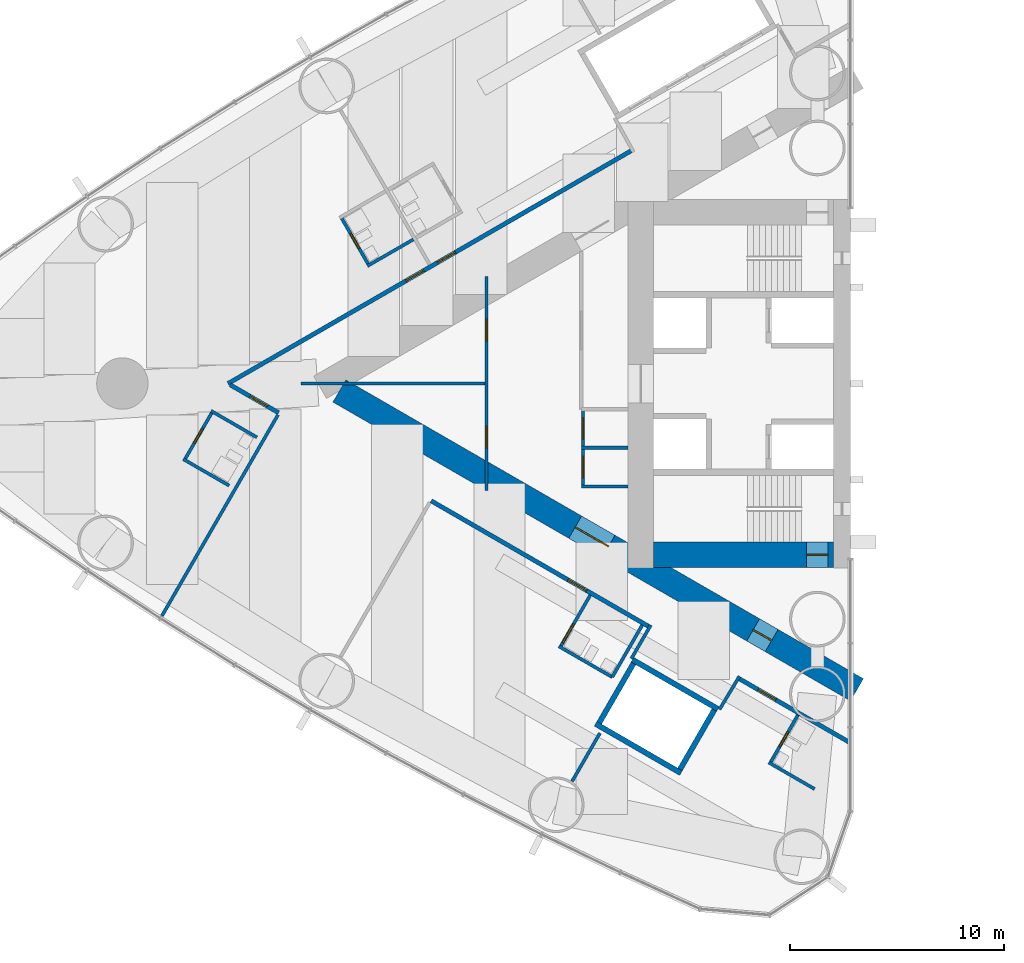
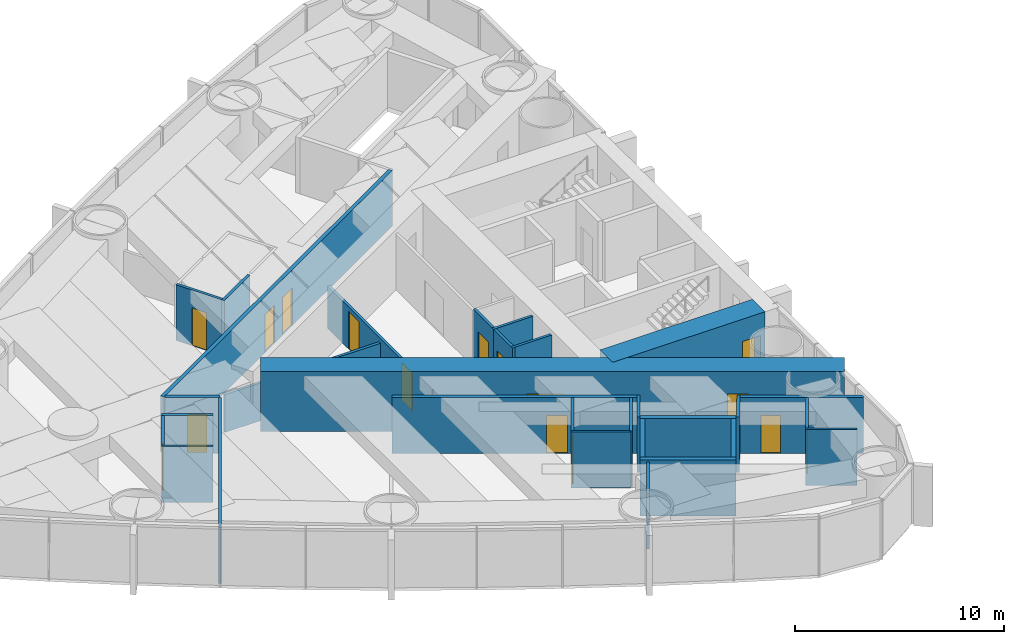
# One storey, part 11 of 18: 30 walls, 16 doors, 16 openings.
"""IFC4 building model written with IfcOpenShell, lengths in metres."""

from ifc_helpers import new_model, si_unit, direction, frame, frame_2d, origin, place, context, subcontext, project, spatial, rectangle, extrude, material, layer, layer_set, type_object, element, fill, save


model = new_model("IFC4")

# Units and contexts
model_context = context("Model", 3, precision=1e-05, world=origin(), true_north=direction((0.0, 1.0)))
body_context = subcontext(model_context, "Body", "Model", "MODEL_VIEW")
ifc_project = project(units=[si_unit("LENGTHUNIT", "METRE"), si_unit("AREAUNIT", "SQUARE_METRE"), si_unit("VOLUMEUNIT", "CUBIC_METRE"), si_unit("PLANEANGLEUNIT", "RADIAN"), si_unit("MASSUNIT", "GRAM", prefix="KILO")], contexts=[model_context])

# Site, building, storey
site_placement = place(None, origin())
site = spatial("IfcSite", under=ifc_project, at=site_placement, CompositionType="ELEMENT")
building_placement = place(site_placement, origin())
building = spatial("IfcBuilding", under=site, at=building_placement, Name="Lancet Gate Hotel", CompositionType="ELEMENT")
storey_placement = place(building_placement, frame((0.0, 0.0, 118.60009765625)))
storey = spatial("IfcBuildingStorey", under=building, at=storey_placement, Name="L31", CompositionType="ELEMENT", Elevation=118.60009765625)

# Wall, opening, door
ifc_material_1 = material(Name="Moisture resistant board partition")
ifc_layer_1 = layer(ifc_material_1, 0.14990234375)
ifc_layer_set_1 = layer_set([ifc_layer_1], Name="Bathroom wall 150")
wall_type_1 = type_object("IfcWallType", Name="Bathroom wall 150", PredefinedType="PARTITIONING", material=ifc_layer_set_1)
wall_1_placement = place(storey_placement, frame((-49.99462890625, 5.52734375, 0.0), z_axis=(0.0, 0.0, 1.0), x_axis=(-0.500006934395, 0.866021400173, 0.0)))
wall_1 = element("IfcWall", 1, at=wall_1_placement, inside=storey, type_object=wall_type_1, Name="T1 bathroom wall 150 L31", PredefinedType="PARTITIONING", context=body_context, shape_type="SweptSolid", body=[
    extrude(rectangle(XDim=2.60009765625, YDim=0.14990234375, at=frame_2d((1.300048828125, 0.0))), origin(), (0.0, 0.0, 1.0), 3.25),
])
opening_1_placement = place(wall_1_placement, frame((0.89990234375, 0.0, 0.0)))
opening_1 = element("IfcOpeningElement", 2, at=opening_1_placement, cuts=wall_1, Name="Opening 3103-B", PredefinedType="OPENING", context=body_context, shape_type="SweptSolid", body=[
    extrude(rectangle(XDim=0.800048828125, YDim=2.199951171875, at=frame_2d((0.39990234375, 1.10009765625))), frame((0.0, 0.0849609375, 0.0), z_axis=(0.0, -1.0, 0.0), x_axis=(1.0, 0.0, 0.0)), (0.0, 0.0, 1.0), 0.169921875),
])
ifc_material_2 = material(Name="Timber door set", Category="wood")
door_type_1 = type_object("IfcDoorType", Name="Bathroom door 800", OperationType="SINGLE_SWING_RIGHT", PredefinedType="DOOR", material=ifc_material_2)
door_1_placement = place(opening_1_placement, origin())
door_1 = element("IfcDoor", 3, at=door_1_placement, inside=storey, type_object=door_type_1, Name="3103-B", OperationType="SINGLE_SWING_RIGHT", OverallHeight=2.199951171875, OverallWidth=0.800048828125, PredefinedType="DOOR", context=body_context, shape_type="SweptSolid", body=[
    extrude(rectangle(XDim=0.800048828125, YDim=2.199951171875, at=frame_2d((0.39990234375, 1.10009765625))), frame((0.0, 0.02490234375, 0.0), z_axis=(0.0, -1.0, 0.0), x_axis=(1.0, 0.0, 0.0)), (0.0, 0.0, 1.0), 0.050048828125),
])
fill(opening_1, door_1)

# Walls
for number, where, z_axis, x_axis, name in (
    (4, (-47.916015625, 6.727294921875, 0.0), (0.0, 0.0, 1.0), (-0.866031185235, -0.4999899861, 0.0), "T1 bathroom wall 150 L31"),
    (5, (-56.51708984375, -4.763916015625, 0.0), (0.0, 0.0, 1.0), (-0.866031185235, 0.4999899861, 0.0), "T1 bathroom wall 150 L31"),
):
    element("IfcWall", number, at=place(storey_placement, frame(where, z_axis=z_axis, x_axis=x_axis)), inside=storey, type_object=wall_type_1, Name=name, PredefinedType="PARTITIONING", context=body_context, shape_type="SweptSolid", body=[
        extrude(rectangle(XDim=2.47509765625, YDim=0.14990234375, at=frame_2d((1.237548828125, 0.0))), origin(), (0.0, 0.0, 1.0), 3.25),
    ])

# Wall, opening, door
wall_2_placement = place(storey_placement, frame((-57.295654296875, -1.312255859375, 0.0), z_axis=(0.0, 0.0, 1.0), x_axis=(-0.49997716683, -0.86603858612, 0.0)))
wall_2 = element("IfcWall", 6, at=wall_2_placement, inside=storey, type_object=wall_type_1, Name="T1 bathroom wall 150 L31", PredefinedType="PARTITIONING", context=body_context, shape_type="SweptSolid", body=[
    extrude(rectangle(XDim=2.599609375, YDim=0.14990234375, at=frame_2d((1.2998046875, 0.0))), origin(), (0.0, 0.0, 1.0), 3.25),
])
opening_2_placement = place(wall_2_placement, frame((0.89990234375, 0.0, 0.0)))
opening_2 = element("IfcOpeningElement", 7, at=opening_2_placement, cuts=wall_2, Name="Opening 3105-B", PredefinedType="OPENING", context=body_context, shape_type="SweptSolid", body=[
    extrude(rectangle(XDim=0.800048828125, YDim=2.199951171875, at=frame_2d((0.39990234375, 1.10009765625))), frame((0.0, 0.0849609375, 0.0), z_axis=(0.0, -1.0, 0.0), x_axis=(1.0, 0.0, 0.0)), (0.0, 0.0, 1.0), 0.169921875),
])
door_2_placement = place(opening_2_placement, origin())
door_2 = element("IfcDoor", 8, at=door_2_placement, inside=storey, type_object=door_type_1, Name="3105-B", OperationType="SINGLE_SWING_RIGHT", OverallHeight=2.199951171875, OverallWidth=0.800048828125, PredefinedType="DOOR", context=body_context, shape_type="SweptSolid", body=[
    extrude(rectangle(XDim=0.800048828125, YDim=2.199951171875, at=frame_2d((0.39990234375, 1.10009765625))), frame((0.0, 0.02490234375, 0.0), z_axis=(0.0, -1.0, 0.0), x_axis=(1.0, 0.0, 0.0)), (0.0, 0.0, 1.0), 0.050048828125),
])
fill(opening_2, door_2)

# Walls
wall_3_placement = place(storey_placement, frame((-55.217041015625, -2.51220703125, 0.0), z_axis=(0.0, 0.0, 1.0), x_axis=(-0.866031185235, 0.4999899861, 0.0)))
element("IfcWall", 9, at=wall_3_placement, inside=storey, type_object=wall_type_1, Name="T1 bathroom wall 150 L31", PredefinedType="PARTITIONING", context=body_context, shape_type="SweptSolid", body=[
    extrude(rectangle(XDim=2.47509765625, YDim=0.14990234375, at=frame_2d((1.237548828125, 0.0))), origin(), (0.0, 0.0, 1.0), 3.25),
])
wall_4_placement = place(storey_placement, frame((-38.630126953125, -13.705322265625, 0.0), z_axis=(0.0, 0.0, 1.0), x_axis=(-0.866018712932, 0.500011588718, 0.0)))
element("IfcWall", 10, at=wall_4_placement, inside=storey, type_object=wall_type_1, Name="T1 bathroom wall 150 L31", PredefinedType="PARTITIONING", context=body_context, shape_type="SweptSolid", body=[
    extrude(rectangle(XDim=2.875, YDim=0.14990234375, at=frame_2d((1.4375, 0.0))), origin(), (0.0, 0.0, 1.0), 3.25),
])

# Wall, opening, door
wall_5_placement = place(storey_placement, frame((-39.65478515625, -9.88037109375, 0.0), z_axis=(0.0, 0.0, 1.0), x_axis=(-0.500049511043, -0.865996816683, 0.0)))
wall_5 = element("IfcWall", 11, at=wall_5_placement, inside=storey, type_object=wall_type_1, Name="T1 bathroom wall 150 L31", PredefinedType="PARTITIONING", context=body_context, shape_type="SweptSolid", body=[
    extrude(rectangle(XDim=2.800048828125, YDim=0.14990234375, at=frame_2d((1.39990234375, 0.0))), origin(), (0.0, 0.0, 1.0), 3.25),
])
opening_3_placement = place(wall_5_placement, frame((1.550048828125, 0.0, 0.0)))
opening_3 = element("IfcOpeningElement", 12, at=opening_3_placement, cuts=wall_5, Name="Opening 3107-B", PredefinedType="OPENING", context=body_context, shape_type="SweptSolid", body=[
    extrude(rectangle(XDim=1.0, YDim=2.199951171875, at=frame_2d((0.5, 1.10009765625))), frame((0.0, 0.0849609375, 0.0), z_axis=(0.0, -1.0, 0.0), x_axis=(1.0, 0.0, 0.0)), (0.0, 0.0, 1.0), 0.169921875),
])
ifc_material_3 = material(Name="Timber door set", Category="wood")
door_type_2 = type_object("IfcDoorType", Name="Accessible en-suite door 1000", OperationType="SINGLE_SWING_RIGHT", PredefinedType="DOOR", material=ifc_material_3)
door_3_placement = place(opening_3_placement, origin())
door_3 = element("IfcDoor", 13, at=door_3_placement, inside=storey, type_object=door_type_2, Name="3107-B", OperationType="SINGLE_SWING_RIGHT", OverallHeight=2.199951171875, OverallWidth=1.0, PredefinedType="DOOR", context=body_context, shape_type="SweptSolid", body=[
    extrude(rectangle(XDim=1.0, YDim=2.199951171875, at=frame_2d((0.5, 1.10009765625))), frame((0.0, 0.02490234375, 0.0), z_axis=(0.0, -1.0, 0.0), x_axis=(1.0, 0.0, 0.0)), (0.0, 0.0, 1.0), 0.050048828125),
])
fill(opening_3, door_3)

# Walls
wall_6_placement = place(storey_placement, frame((-37.22998046875, -11.280517578125, 0.0), z_axis=(0.0, 0.0, 1.0), x_axis=(-0.500049511043, -0.865996816683, 0.0)))
element("IfcWall", 14, at=wall_6_placement, inside=storey, type_object=wall_type_1, Name="T1 bathroom wall 150 L31", PredefinedType="PARTITIONING", context=body_context, shape_type="SweptSolid", body=[
    extrude(rectangle(XDim=2.800048828125, YDim=0.14990234375, at=frame_2d((1.39990234375, 0.0))), origin(), (0.0, 0.0, 1.0), 3.25),
])
wall_7_placement = place(storey_placement, frame((-29.181884765625, -18.92919921875, 0.0), z_axis=(0.0, 0.0, 1.0), x_axis=(-0.866006523861, 0.500032699561, 0.0)))
element("IfcWall", 15, at=wall_7_placement, inside=storey, type_object=wall_type_1, Name="T1 bathroom wall 150 L31", PredefinedType="PARTITIONING", context=body_context, shape_type="SweptSolid", body=[
    extrude(rectangle(XDim=2.474853515625, YDim=0.14990234375, at=frame_2d((1.2373046875, 0.0))), origin(), (0.0, 0.0, 1.0), 3.25),
])

# Wall, opening, door
wall_8_placement = place(storey_placement, frame((-29.960205078125, -15.4775390625, 0.0), z_axis=(0.0, 0.0, 1.0), x_axis=(-0.500006934395, -0.866021400173, 0.0)))
wall_8 = element("IfcWall", 16, at=wall_8_placement, inside=storey, type_object=wall_type_1, Name="T1 bathroom wall 150 L31", PredefinedType="PARTITIONING", context=body_context, shape_type="SweptSolid", body=[
    extrude(rectangle(XDim=2.60009765625, YDim=0.14990234375, at=frame_2d((1.300048828125, 0.0))), origin(), (0.0, 0.0, 1.0), 3.25),
])
opening_4_placement = place(wall_8_placement, frame((0.89990234375, 0.0, 0.0)))
opening_4 = element("IfcOpeningElement", 17, at=opening_4_placement, cuts=wall_8, Name="Opening 3108-B", PredefinedType="OPENING", context=body_context, shape_type="SweptSolid", body=[
    extrude(rectangle(XDim=0.800048828125, YDim=2.199951171875, at=frame_2d((0.39990234375, 1.10009765625))), frame((0.0, 0.0849609375, 0.0), z_axis=(0.0, -1.0, 0.0), x_axis=(1.0, 0.0, 0.0)), (0.0, 0.0, 1.0), 0.169921875),
])
door_4_placement = place(opening_4_placement, origin())
door_4 = element("IfcDoor", 18, at=door_4_placement, inside=storey, type_object=door_type_1, Name="3108-B", OperationType="SINGLE_SWING_RIGHT", OverallHeight=2.199951171875, OverallWidth=0.800048828125, PredefinedType="DOOR", context=body_context, shape_type="SweptSolid", body=[
    extrude(rectangle(XDim=0.800048828125, YDim=2.199951171875, at=frame_2d((0.39990234375, 1.10009765625))), frame((0.0, 0.02490234375, 0.0), z_axis=(0.0, -1.0, 0.0), x_axis=(1.0, 0.0, 0.0)), (0.0, 0.0, 1.0), 0.050048828125),
])
fill(opening_4, door_4)

# Wall, openings, doors
ifc_material_4 = material(Name="Concrete C70/85", Category="concrete")
ifc_layer_2 = layer(ifc_material_4, 1.199951171875)
ifc_layer_set_2 = layer_set([ifc_layer_2], Name="Buttress wall 1200")
wall_type_2 = type_object("IfcWallType", Name="Buttress wall 1200", PredefinedType="SHEAR", material=ifc_layer_set_2)
wall_9_placement = place(storey_placement, frame((-27.199951171875, -14.300048828125, 0.0), z_axis=(0.0, 0.0, 1.0), x_axis=(-0.866024021859, 0.500002393557, 0.0)))
wall_9 = element("IfcWall", 19, at=wall_9_placement, inside=storey, type_object=wall_type_2, Name="T1 buttress wall N L31", PredefinedType="SHEAR", context=body_context, shape_type="SweptSolid", body=[
    extrude(rectangle(XDim=27.906982421875, YDim=1.199951171875, at=frame_2d((13.95361328125, 0.0))), origin(), (0.0, 0.0, 1.0), 3.5),
])
opening_5_placement = place(wall_9_placement, frame((4.60009765625, 0.0, 0.0)))
opening_5 = element("IfcOpeningElement", 20, at=opening_5_placement, cuts=wall_9, Name="Opening T1-L31-LN", PredefinedType="OPENING", context=body_context, shape_type="SweptSolid", body=[
    extrude(rectangle(XDim=1.0, YDim=2.199951171875, at=frame_2d((0.5, 1.10009765625))), frame((0.0, 0.60986328125, 0.0), z_axis=(0.0, -1.0, 0.0), x_axis=(1.0, 0.0, 0.0)), (0.0, 0.0, 1.0), 1.219970703125),
])
opening_6_placement = place(wall_9_placement, frame((13.39453125, 0.0, 0.0)))
opening_6 = element("IfcOpeningElement", 21, at=opening_6_placement, cuts=wall_9, Name="Opening T1-L31-LHN", PredefinedType="OPENING", context=body_context, shape_type="SweptSolid", body=[
    extrude(rectangle(XDim=1.800048828125, YDim=2.199951171875, at=frame_2d((0.89990234375, 1.10009765625))), frame((0.0, 0.60986328125, 0.0), z_axis=(0.0, -1.0, 0.0), x_axis=(1.0, 0.0, 0.0)), (0.0, 0.0, 1.0), 1.219970703125),
])
ifc_material_5 = material(Name="Timber door set", Category="wood")
door_type_3 = type_object("IfcDoorType", Name="Lobby double door 1800", OperationType="DOUBLE_DOOR_SINGLE_SWING", PredefinedType="DOOR", material=ifc_material_5)
door_5_placement = place(opening_6_placement, origin())
door_5 = element("IfcDoor", 22, at=door_5_placement, inside=storey, type_object=door_type_3, Name="T1-L31-LHN", OperationType="DOUBLE_DOOR_SINGLE_SWING", OverallHeight=2.199951171875, OverallWidth=1.800048828125, PredefinedType="DOOR", context=body_context, shape_type="SweptSolid", body=[
    extrude(rectangle(XDim=1.800048828125, YDim=2.199951171875, at=frame_2d((0.89990234375, 1.10009765625))), frame((0.0, 0.02490234375, 0.0), z_axis=(0.0, -1.0, 0.0), x_axis=(1.0, 0.0, 0.0)), (0.0, 0.0, 1.0), 0.050048828125),
])
fill(opening_6, door_5)
ifc_material_6 = material(Name="Timber door set", Category="wood")
door_type_4 = type_object("IfcDoorType", Name="Stair lobby door 1000", OperationType="SINGLE_SWING_LEFT", PredefinedType="DOOR", material=ifc_material_6)
door_6_placement = place(opening_5_placement, origin())
door_6 = element("IfcDoor", 23, at=door_6_placement, inside=storey, type_object=door_type_4, Name="T1-L31-LN", OperationType="SINGLE_SWING_LEFT", OverallHeight=2.199951171875, OverallWidth=1.0, PredefinedType="DOOR", context=body_context, shape_type="SweptSolid", body=[
    extrude(rectangle(XDim=1.0, YDim=2.199951171875, at=frame_2d((0.5, 1.10009765625))), frame((0.0, 0.02490234375, 0.0), z_axis=(0.0, -1.0, 0.0), x_axis=(1.0, 0.0, 0.0)), (0.0, 0.0, 1.0), 0.050048828125),
])
fill(opening_5, door_6)

# Wall, opening, door
ifc_material_7 = material(Name="Concrete C70/85", Category="concrete")
ifc_layer_3 = layer(ifc_material_7, 1.199951171875)
ifc_layer_set_3 = layer_set([ifc_layer_3], Name="Core wall 1200")
wall_type_3 = type_object("IfcWallType", Name="Core wall 1200", PredefinedType="SHEAR", material=ifc_layer_set_3)
wall_10_placement = place(storey_placement, frame((-28.300048828125, -8.0, 0.0), z_axis=(0.0, 0.0, 1.0), x_axis=(-1.0, 0.0, 0.0)))
wall_10 = element("IfcWall", 24, at=wall_10_placement, inside=storey, type_object=wall_type_3, Name="T1 core wall side-N L31", PredefinedType="SHEAR", context=body_context, shape_type="SweptSolid", body=[
    extrude(rectangle(XDim=8.39990234375, YDim=1.199951171875, at=frame_2d((4.199951171875, 0.0))), origin(), (0.0, 0.0, 1.0), 3.5),
])
opening_7_placement = place(wall_10_placement, frame((0.25, 0.0, 0.0)))
opening_7 = element("IfcOpeningElement", 25, at=opening_7_placement, cuts=wall_10, Name="Opening T1-L31-ST2", PredefinedType="OPENING", context=body_context, shape_type="SweptSolid", body=[
    extrude(rectangle(XDim=1.0, YDim=2.199951171875, at=frame_2d((0.5, 1.10009765625))), frame((0.0, 0.60986328125, 0.0), z_axis=(0.0, -1.0, 0.0), x_axis=(1.0, 0.0, 0.0)), (0.0, 0.0, 1.0), 1.219970703125),
])
ifc_material_8 = material(Name="Timber door set", Category="wood")
door_type_5 = type_object("IfcDoorType", Name="Stair door 1000", OperationType="SINGLE_SWING_RIGHT", PredefinedType="DOOR", material=ifc_material_8)
door_7_placement = place(opening_7_placement, origin())
door_7 = element("IfcDoor", 26, at=door_7_placement, inside=storey, type_object=door_type_5, Name="T1-L31-ST2", OperationType="SINGLE_SWING_RIGHT", OverallHeight=2.199951171875, OverallWidth=1.0, PredefinedType="DOOR", context=body_context, shape_type="SweptSolid", body=[
    extrude(rectangle(XDim=1.0, YDim=2.199951171875, at=frame_2d((0.5, 1.10009765625))), frame((0.0, 0.02490234375, 0.0), z_axis=(0.0, -1.0, 0.0), x_axis=(1.0, 0.0, 0.0)), (0.0, 0.0, 1.0), 0.050048828125),
])
fill(opening_7, door_7)

# Wall, openings, doors
ifc_material_9 = material(Name="Gypsum board partition")
ifc_layer_4 = layer(ifc_material_9, 0.199951171875)
ifc_layer_set_4 = layer_set([ifc_layer_4], Name="Corridor wall 200")
wall_type_4 = type_object("IfcWallType", Name="Corridor wall 200", PredefinedType="PARTITIONING", material=ifc_layer_set_4)
wall_11_placement = place(storey_placement, frame((-37.699951171875, 10.8935546875, 0.0), z_axis=(0.0, 0.0, 1.0), x_axis=(-0.866027905338, -0.499995667157, 0.0)))
wall_11 = element("IfcWall", 27, at=wall_11_placement, inside=storey, type_object=wall_type_4, Name="T1 corridor wall 200 L31", PredefinedType="PARTITIONING", context=body_context, shape_type="SweptSolid", body=[
    extrude(rectangle(XDim=21.787353515625, YDim=0.199951171875, at=frame_2d((10.8935546875, 0.0))), origin(), (0.0, 0.0, 1.0), 3.25),
])
opening_8_placement = place(wall_11_placement, frame((11.23046875, 0.0, 0.0)))
opening_8 = element("IfcOpeningElement", 28, at=opening_8_placement, cuts=wall_11, Name="Opening 3103-E", PredefinedType="OPENING", context=body_context, shape_type="SweptSolid", body=[
    extrude(rectangle(XDim=0.949951171875, YDim=2.199951171875, at=frame_2d((0.47509765625, 1.10009765625))), frame((0.0, 0.10986328125, 0.0), z_axis=(0.0, -1.0, 0.0), x_axis=(1.0, 0.0, 0.0)), (0.0, 0.0, 1.0), 0.219970703125),
])
opening_9_placement = place(wall_11_placement, frame((9.530517578125, 0.0, 0.0)))
opening_9 = element("IfcOpeningElement", 29, at=opening_9_placement, cuts=wall_11, Name="Opening 3102-E", PredefinedType="OPENING", context=body_context, shape_type="SweptSolid", body=[
    extrude(rectangle(XDim=0.949951171875, YDim=2.199951171875, at=frame_2d((0.47509765625, 1.10009765625))), frame((0.0, 0.10986328125, 0.0), z_axis=(0.0, -1.0, 0.0), x_axis=(1.0, 0.0, 0.0)), (0.0, 0.0, 1.0), 0.219970703125),
])
ifc_material_10 = material(Name="Timber door set", Category="wood")
door_type_6 = type_object("IfcDoorType", Name="Guest room entry door 950", OperationType="SINGLE_SWING_LEFT", PredefinedType="DOOR", material=ifc_material_10)
door_8_placement = place(opening_8_placement, origin())
door_8 = element("IfcDoor", 30, at=door_8_placement, inside=storey, type_object=door_type_6, Name="3103-E", OperationType="SINGLE_SWING_LEFT", OverallHeight=2.199951171875, OverallWidth=0.949951171875, PredefinedType="DOOR", context=body_context, shape_type="SweptSolid", body=[
    extrude(rectangle(XDim=0.949951171875, YDim=2.199951171875, at=frame_2d((0.47509765625, 1.10009765625))), frame((0.0, 0.02490234375, 0.0), z_axis=(0.0, -1.0, 0.0), x_axis=(1.0, 0.0, 0.0)), (0.0, 0.0, 1.0), 0.050048828125),
])
fill(opening_8, door_8)
door_9_placement = place(opening_9_placement, origin())
door_9 = element("IfcDoor", 31, at=door_9_placement, inside=storey, type_object=door_type_6, Name="3102-E", OperationType="SINGLE_SWING_LEFT", OverallHeight=2.199951171875, OverallWidth=0.949951171875, PredefinedType="DOOR", context=body_context, shape_type="SweptSolid", body=[
    extrude(rectangle(XDim=0.949951171875, YDim=2.199951171875, at=frame_2d((0.47509765625, 1.10009765625))), frame((0.0, 0.02490234375, 0.0), z_axis=(0.0, -1.0, 0.0), x_axis=(1.0, 0.0, 0.0)), (0.0, 0.0, 1.0), 0.050048828125),
])
fill(opening_9, door_9)

# Wall, opening, door
wall_12_placement = place(storey_placement, frame((-27.572021484375, -16.740966796875, 0.0), z_axis=(0.0, 0.0, 1.0), x_axis=(-0.866024464444, 0.500001626982, 0.0)))
wall_12 = element("IfcWall", 32, at=wall_12_placement, inside=storey, type_object=wall_type_4, Name="T1 corridor wall 200 L31", PredefinedType="PARTITIONING", context=body_context, shape_type="SweptSolid", body=[
    extrude(rectangle(XDim=5.955078125, YDim=0.199951171875, at=frame_2d((2.9775390625, 0.0))), origin(), (0.0, 0.0, 1.0), 3.25),
])
opening_10_placement = place(wall_12_placement, frame((3.949951171875, 0.0, 0.0)))
opening_10 = element("IfcOpeningElement", 33, at=opening_10_placement, cuts=wall_12, Name="Opening 3108-E", PredefinedType="OPENING", context=body_context, shape_type="SweptSolid", body=[
    extrude(rectangle(XDim=0.949951171875, YDim=2.199951171875, at=frame_2d((0.47509765625, 1.10009765625))), frame((0.0, 0.10986328125, 0.0), z_axis=(0.0, -1.0, 0.0), x_axis=(1.0, 0.0, 0.0)), (0.0, 0.0, 1.0), 0.219970703125),
])
door_10_placement = place(opening_10_placement, origin())
door_10 = element("IfcDoor", 34, at=door_10_placement, inside=storey, type_object=door_type_6, Name="3108-E", OperationType="SINGLE_SWING_LEFT", OverallHeight=2.199951171875, OverallWidth=0.949951171875, PredefinedType="DOOR", context=body_context, shape_type="SweptSolid", body=[
    extrude(rectangle(XDim=0.949951171875, YDim=2.199951171875, at=frame_2d((0.47509765625, 1.10009765625))), frame((0.0, 0.02490234375, 0.0), z_axis=(0.0, -1.0, 0.0), x_axis=(1.0, 0.0, 0.0)), (0.0, 0.0, 1.0), 0.050048828125),
])
fill(opening_10, door_10)

wall_13_placement = place(storey_placement, frame((-36.920166015625, -11.34375, 0.0), z_axis=(0.0, 0.0, 1.0), x_axis=(-0.866027897759, 0.499995680284, 0.0)))
wall_13 = element("IfcWall", 35, at=wall_13_placement, inside=storey, type_object=wall_type_4, Name="T1 corridor wall 200 L31", PredefinedType="PARTITIONING", context=body_context, shape_type="SweptSolid", body=[
    extrude(rectangle(XDim=11.73095703125, YDim=0.199951171875, at=frame_2d((5.865478515625, 0.0))), origin(), (0.0, 0.0, 1.0), 3.25),
])
opening_11_placement = place(wall_13_placement, frame((3.35009765625, 0.0, 0.0)))
opening_11 = element("IfcOpeningElement", 36, at=opening_11_placement, cuts=wall_13, Name="Opening 3107-E", PredefinedType="OPENING", context=body_context, shape_type="SweptSolid", body=[
    extrude(rectangle(XDim=1.0, YDim=2.199951171875, at=frame_2d((0.5, 1.10009765625))), frame((0.0, 0.10986328125, 0.0), z_axis=(0.0, -1.0, 0.0), x_axis=(1.0, 0.0, 0.0)), (0.0, 0.0, 1.0), 0.219970703125),
])
ifc_material_11 = material(Name="Timber door set", Category="wood")
door_type_7 = type_object("IfcDoorType", Name="Accessible guest room door 1000", OperationType="SINGLE_SWING_LEFT", PredefinedType="DOOR", material=ifc_material_11)
door_11_placement = place(opening_11_placement, origin())
door_11 = element("IfcDoor", 37, at=door_11_placement, inside=storey, type_object=door_type_7, Name="3107-E", OperationType="SINGLE_SWING_LEFT", OverallHeight=2.199951171875, OverallWidth=1.0, PredefinedType="DOOR", context=body_context, shape_type="SweptSolid", body=[
    extrude(rectangle(XDim=1.0, YDim=2.199951171875, at=frame_2d((0.5, 1.10009765625))), frame((0.0, 0.02490234375, 0.0), z_axis=(0.0, -1.0, 0.0), x_axis=(1.0, 0.0, 0.0)), (0.0, 0.0, 1.0), 0.050048828125),
])
fill(opening_11, door_11)

wall_14_placement = place(storey_placement, frame((-54.207275390625, -1.363037109375, 0.0), z_axis=(0.0, 0.0, 1.0), x_axis=(-0.866049872286, 0.499957616916, 0.0)))
wall_14 = element("IfcWall", 38, at=wall_14_placement, inside=storey, type_object=wall_type_4, Name="T1 corridor wall 200 L31", PredefinedType="PARTITIONING", context=body_context, shape_type="SweptSolid", body=[
    extrude(rectangle(XDim=2.606201171875, YDim=0.199951171875, at=frame_2d((1.30322265625, 0.0))), origin(), (0.0, 0.0, 1.0), 3.25),
])
opening_12_placement = place(wall_14_placement, frame((0.60009765625, 0.0, 0.0)))
opening_12 = element("IfcOpeningElement", 39, at=opening_12_placement, cuts=wall_14, Name="Opening 3105-E", PredefinedType="OPENING", context=body_context, shape_type="SweptSolid", body=[
    extrude(rectangle(XDim=0.949951171875, YDim=2.199951171875, at=frame_2d((0.47509765625, 1.10009765625))), frame((0.0, 0.10986328125, 0.0), z_axis=(0.0, -1.0, 0.0), x_axis=(1.0, 0.0, 0.0)), (0.0, 0.0, 1.0), 0.219970703125),
])
door_12_placement = place(opening_12_placement, origin())
door_12 = element("IfcDoor", 40, at=door_12_placement, inside=storey, type_object=door_type_6, Name="3105-E", OperationType="SINGLE_SWING_LEFT", OverallHeight=2.199951171875, OverallWidth=0.949951171875, PredefinedType="DOOR", context=body_context, shape_type="SweptSolid", body=[
    extrude(rectangle(XDim=0.949951171875, YDim=2.199951171875, at=frame_2d((0.47509765625, 1.10009765625))), frame((0.0, 0.02490234375, 0.0), z_axis=(0.0, -1.0, 0.0), x_axis=(1.0, 0.0, 0.0)), (0.0, 0.0, 1.0), 0.050048828125),
])
fill(opening_12, door_12)

# Walls
ifc_material_12 = material(Name="Gypsum board partition")
ifc_layer_5 = layer(ifc_material_12, 0.25)
ifc_layer_set_5 = layer_set([ifc_layer_5], Name="Lift shaft partition 250")
wall_type_5 = type_object("IfcWallType", Name="Lift shaft partition 250", PredefinedType="PARTITIONING", material=ifc_layer_set_5)
wall_15_placement = place(storey_placement, frame((-33.695556640625, -15.197265625, 0.0), z_axis=(0.0, 0.0, 1.0), x_axis=(-0.865976953817, 0.500083908417, 0.0)))
element("IfcWall", 41, at=wall_15_placement, inside=storey, type_object=wall_type_5, Name="T1 lift shaft wall EX L31", PredefinedType="PARTITIONING", context=body_context, shape_type="SweptSolid", body=[
    extrude(rectangle(XDim=4.599365234375, YDim=0.25, at=frame_2d((2.2998046875, 0.0))), origin(), (0.0, 0.0, 1.0), 3.25),
])
wall_16_placement = place(storey_placement, frame((-35.42041015625, -18.185791015625, 0.0), z_axis=(0.0, 0.0, 1.0), x_axis=(-0.865990227814, 0.50006092162, 0.0)))
element("IfcWall", 42, at=wall_16_placement, inside=storey, type_object=wall_type_5, Name="T1 lift shaft wall EX L31", PredefinedType="PARTITIONING", context=body_context, shape_type="SweptSolid", body=[
    extrude(rectangle(XDim=4.599609375, YDim=0.25, at=frame_2d((2.2998046875, 0.0))), origin(), (0.0, 0.0, 1.0), 3.25),
])
wall_17_placement = place(storey_placement, frame((-33.8662109375, -15.242919921875, 0.0), z_axis=(0.0, 0.0, 1.0), x_axis=(-0.499929347863, -0.866066190972, 0.0)))
element("IfcWall", 43, at=wall_17_placement, inside=storey, type_object=wall_type_5, Name="T1 lift shaft wall EX L31", PredefinedType="PARTITIONING", context=body_context, shape_type="SweptSolid", body=[
    extrude(rectangle(XDim=3.20068359375, YDim=0.25, at=frame_2d((1.600341796875, 0.0))), origin(), (0.0, 0.0, 1.0), 3.25),
])
wall_18_placement = place(storey_placement, frame((-37.6328125, -13.068115234375, 0.0), z_axis=(0.0, 0.0, 1.0), x_axis=(-0.499872130319, -0.866099216793, 0.0)))
element("IfcWall", 44, at=wall_18_placement, inside=storey, type_object=wall_type_5, Name="T1 lift shaft wall EX L31", PredefinedType="PARTITIONING", context=body_context, shape_type="SweptSolid", body=[
    extrude(rectangle(XDim=3.200439453125, YDim=0.25, at=frame_2d((1.60009765625, 0.0))), origin(), (0.0, 0.0, 1.0), 3.25),
])
ifc_material_13 = material(Name="Gypsum board partition")
ifc_layer_6 = layer(ifc_material_13, 0.14990234375)
ifc_layer_set_6 = layer_set([ifc_layer_6], Name="Party wall 150")
wall_type_6 = type_object("IfcWallType", Name="Party wall 150", PredefinedType="PARTITIONING", material=ifc_layer_set_6)
wall_19_placement = place(storey_placement, frame((-54.235595703125, -1.462158203125, 0.0), z_axis=(0.0, 0.0, 1.0), x_axis=(-0.499990351854, -0.866030974073, 0.0)))
element("IfcWall", 45, at=wall_19_placement, inside=storey, type_object=wall_type_6, Name="T1 party wall 150 L31", PredefinedType="PARTITIONING", context=body_context, shape_type="SweptSolid", body=[
    extrude(rectangle(XDim=10.833740234375, YDim=0.14990234375, at=frame_2d((5.4169921875, 0.0))), origin(), (0.0, 0.0, 1.0), 3.25),
])
wall_20_placement = place(storey_placement, frame((-39.2021484375, -16.319580078125, 0.0), z_axis=(0.0, 0.0, 1.0), x_axis=(-0.49997716683, -0.86603858612, 0.0)))
element("IfcWall", 46, at=wall_20_placement, inside=storey, type_object=wall_type_6, Name="T1 party wall 150 L31", PredefinedType="PARTITIONING", context=body_context, shape_type="SweptSolid", body=[
    extrude(rectangle(XDim=2.599609375, YDim=0.14990234375, at=frame_2d((1.2998046875, 0.0))), origin(), (0.0, 0.0, 1.0), 3.25),
])
ifc_material_14 = material(Name="Gypsum board partition")
ifc_layer_7 = layer(ifc_material_14, 0.14990234375)
ifc_layer_set_7 = layer_set([ifc_layer_7], Name="Service room wall 150")
wall_type_7 = type_object("IfcWallType", Name="Service room wall 150", PredefinedType="PARTITIONING", material=ifc_layer_set_7)
wall_21_placement = place(storey_placement, frame((-36.831298828125, -11.27978515625, 0.0), z_axis=(0.0, 0.0, 1.0), x_axis=(-0.499937177781, -0.866061671171, 0.0)))
element("IfcWall", 47, at=wall_21_placement, inside=storey, type_object=wall_type_7, Name="T1 service room wall 150 L31", PredefinedType="PARTITIONING", context=body_context, shape_type="SweptSolid", body=[
    extrude(rectangle(XDim=1.804443359375, YDim=0.14990234375, at=frame_2d((0.90234375, 0.0))), origin(), (0.0, 0.0, 1.0), 3.25),
])
wall_22_placement = place(storey_placement, frame((-33.62060546875, -15.217529296875, 0.0), z_axis=(0.0, 0.0, 1.0), x_axis=(0.514336634837, 0.857588377991, 0.0)))
element("IfcWall", 48, at=wall_22_placement, inside=storey, type_object=wall_type_7, Name="T1 service room wall 150 L31", PredefinedType="PARTITIONING", context=body_context, shape_type="SweptSolid", body=[
    extrude(rectangle(XDim=1.80517578125, YDim=0.14990234375, at=frame_2d((0.902587890625, 0.0))), origin(), (0.0, 0.0, 1.0), 3.25),
])
for number, where, z_axis, x_axis, name in (
    (49, (-37.89990234375, -3.0, 0.0), (0.0, 0.0, 1.0), (-1.0, 0.0, 0.0), "T1 service room wall 150 L31"),
    (50, (-37.89990234375, -4.800048828125, 0.0), (0.0, 0.0, 1.0), (-1.0, 0.0, 0.0), "T1 service room wall 150 L31"),
):
    element("IfcWall", number, at=place(storey_placement, frame(where, z_axis=z_axis, x_axis=x_axis)), inside=storey, type_object=wall_type_7, Name=name, PredefinedType="PARTITIONING", context=body_context, shape_type="SweptSolid", body=[
        extrude(rectangle(XDim=2.175048828125, YDim=0.14990234375, at=frame_2d((1.08740234375, 0.0))), origin(), (0.0, 0.0, 1.0), 3.25),
    ])

# Wall, opening, door
wall_23_placement = place(storey_placement, frame((-40.0, -1.125, 0.0), z_axis=(0.0, 0.0, 1.0), x_axis=(0.0, -1.0, 0.0)))
wall_23 = element("IfcWall", 51, at=wall_23_placement, inside=storey, type_object=wall_type_7, Name="T1 service room wall 150 L31", PredefinedType="PARTITIONING", context=body_context, shape_type="SweptSolid", body=[
    extrude(rectangle(XDim=1.949951171875, YDim=0.14990234375, at=frame_2d((0.97509765625, 0.0))), origin(), (0.0, 0.0, 1.0), 3.25),
])
opening_13_placement = place(wall_23_placement, frame((0.47509765625, 0.0, 0.0)))
opening_13 = element("IfcOpeningElement", 52, at=opening_13_placement, cuts=wall_23, Name="Opening T1-L31-HRN0", PredefinedType="OPENING", context=body_context, shape_type="SweptSolid", body=[
    extrude(rectangle(XDim=1.0, YDim=2.199951171875, at=frame_2d((0.5, 1.10009765625))), frame((0.0, 0.0849609375, 0.0), z_axis=(0.0, -1.0, 0.0), x_axis=(1.0, 0.0, 0.0)), (0.0, 0.0, 1.0), 0.169921875),
])
ifc_material_15 = material(Name="Timber door set", Category="wood")
door_type_8 = type_object("IfcDoorType", Name="Service door 1000", OperationType="SINGLE_SWING_LEFT", PredefinedType="DOOR", material=ifc_material_15)
door_13_placement = place(opening_13_placement, origin())
door_13 = element("IfcDoor", 53, at=door_13_placement, inside=storey, type_object=door_type_8, Name="T1-L31-HRN0", OperationType="SINGLE_SWING_LEFT", OverallHeight=2.199951171875, OverallWidth=1.0, PredefinedType="DOOR", context=body_context, shape_type="SweptSolid", body=[
    extrude(rectangle(XDim=1.0, YDim=2.199951171875, at=frame_2d((0.5, 1.10009765625))), frame((0.0, 0.02490234375, 0.0), z_axis=(0.0, -1.0, 0.0), x_axis=(1.0, 0.0, 0.0)), (0.0, 0.0, 1.0), 0.050048828125),
])
fill(opening_13, door_13)

wall_24_placement = place(storey_placement, frame((-40.0, -2.925048828125, 0.0), z_axis=(0.0, 0.0, 1.0), x_axis=(0.0, -1.0, 0.0)))
wall_24 = element("IfcWall", 54, at=wall_24_placement, inside=storey, type_object=wall_type_7, Name="T1 service room wall 150 L31", PredefinedType="PARTITIONING", context=body_context, shape_type="SweptSolid", body=[
    extrude(rectangle(XDim=1.949951171875, YDim=0.14990234375, at=frame_2d((0.97509765625, 0.0))), origin(), (0.0, 0.0, 1.0), 3.25),
])
opening_14_placement = place(wall_24_placement, frame((0.47509765625, 0.0, 0.0)))
opening_14 = element("IfcOpeningElement", 55, at=opening_14_placement, cuts=wall_24, Name="Opening T1-L31-HRN1", PredefinedType="OPENING", context=body_context, shape_type="SweptSolid", body=[
    extrude(rectangle(XDim=1.0, YDim=2.199951171875, at=frame_2d((0.5, 1.10009765625))), frame((0.0, 0.0849609375, 0.0), z_axis=(0.0, -1.0, 0.0), x_axis=(1.0, 0.0, 0.0)), (0.0, 0.0, 1.0), 0.169921875),
])
door_14_placement = place(opening_14_placement, origin())
door_14 = element("IfcDoor", 56, at=door_14_placement, inside=storey, type_object=door_type_8, Name="T1-L31-HRN1", OperationType="SINGLE_SWING_LEFT", OverallHeight=2.199951171875, OverallWidth=1.0, PredefinedType="DOOR", context=body_context, shape_type="SweptSolid", body=[
    extrude(rectangle(XDim=1.0, YDim=2.199951171875, at=frame_2d((0.5, 1.10009765625))), frame((0.0, 0.02490234375, 0.0), z_axis=(0.0, -1.0, 0.0), x_axis=(1.0, 0.0, 0.0)), (0.0, 0.0, 1.0), 0.050048828125),
])
fill(opening_14, door_14)

# Wall, openings, doors
wall_25_placement = place(storey_placement, frame((-44.5, 5.004638671875, 0.0), z_axis=(0.0, 0.0, 1.0), x_axis=(0.0, -1.0, 0.0)))
wall_25 = element("IfcWall", 57, at=wall_25_placement, inside=storey, type_object=wall_type_7, Name="T1 service room wall 150 L31", PredefinedType="PARTITIONING", context=body_context, shape_type="SweptSolid", body=[
    extrude(rectangle(XDim=10.00927734375, YDim=0.14990234375, at=frame_2d((5.004638671875, 0.0))), origin(), (0.0, 0.0, 1.0), 2.449951171875),
])
opening_15_placement = place(wall_25_placement, frame((2.002197265625, 0.0, 0.0)))
opening_15 = element("IfcOpeningElement", 58, at=opening_15_placement, cuts=wall_25, Name="Opening T1-L31-SV", PredefinedType="OPENING", context=body_context, shape_type="SweptSolid", body=[
    extrude(rectangle(XDim=1.0, YDim=2.199951171875, at=frame_2d((0.5, 1.10009765625))), frame((0.0, 0.0849609375, 0.0), z_axis=(0.0, -1.0, 0.0), x_axis=(1.0, 0.0, 0.0)), (0.0, 0.0, 1.0), 0.169921875),
])
opening_16_placement = place(wall_25_placement, frame((7.0068359375, 0.0, 0.0)))
opening_16 = element("IfcOpeningElement", 59, at=opening_16_placement, cuts=wall_25, Name="Opening T1-L31-SV2", PredefinedType="OPENING", context=body_context, shape_type="SweptSolid", body=[
    extrude(rectangle(XDim=1.0, YDim=2.199951171875, at=frame_2d((0.5, 1.10009765625))), frame((0.0, 0.0849609375, 0.0), z_axis=(0.0, -1.0, 0.0), x_axis=(1.0, 0.0, 0.0)), (0.0, 0.0, 1.0), 0.169921875),
])
door_15_placement = place(opening_15_placement, origin())
door_15 = element("IfcDoor", 60, at=door_15_placement, inside=storey, type_object=door_type_8, Name="T1-L31-SV", OperationType="SINGLE_SWING_LEFT", OverallHeight=2.199951171875, OverallWidth=1.0, PredefinedType="DOOR", context=body_context, shape_type="SweptSolid", body=[
    extrude(rectangle(XDim=1.0, YDim=2.199951171875, at=frame_2d((0.5, 1.10009765625))), frame((0.0, 0.02490234375, 0.0), z_axis=(0.0, -1.0, 0.0), x_axis=(1.0, 0.0, 0.0)), (0.0, 0.0, 1.0), 0.050048828125),
])
fill(opening_15, door_15)
door_16_placement = place(opening_16_placement, origin())
door_16 = element("IfcDoor", 61, at=door_16_placement, inside=storey, type_object=door_type_8, Name="T1-L31-SV2", OperationType="SINGLE_SWING_LEFT", OverallHeight=2.199951171875, OverallWidth=1.0, PredefinedType="DOOR", context=body_context, shape_type="SweptSolid", body=[
    extrude(rectangle(XDim=1.0, YDim=2.199951171875, at=frame_2d((0.5, 1.10009765625))), frame((0.0, 0.02490234375, 0.0), z_axis=(0.0, -1.0, 0.0), x_axis=(1.0, 0.0, 0.0)), (0.0, 0.0, 1.0), 0.050048828125),
])
fill(opening_16, door_16)

# Wall
wall_26_placement = place(storey_placement, frame((-44.574951171875, 0.0, 0.0), z_axis=(0.0, 0.0, 1.0), x_axis=(-1.0, 0.0, 0.0)))
element("IfcWall", 62, at=wall_26_placement, inside=storey, type_object=wall_type_7, Name="T1 service room wall 150 L31", PredefinedType="PARTITIONING", context=body_context, shape_type="SweptSolid", body=[
    extrude(rectangle(XDim=8.59326171875, YDim=0.14990234375, at=frame_2d((4.296630859375, 0.0))), origin(), (0.0, 0.0, 1.0), 2.199951171875),
])

save(model, "model.ifc")
